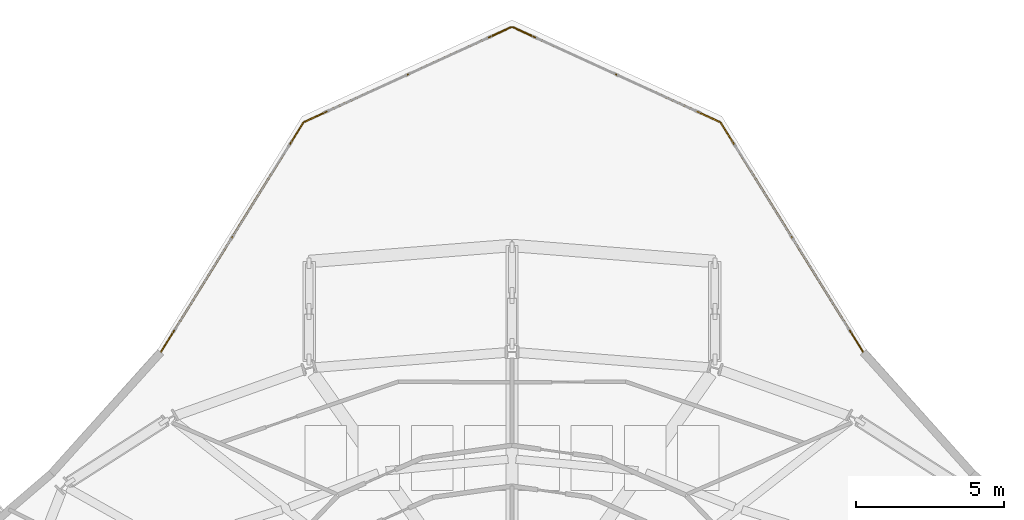
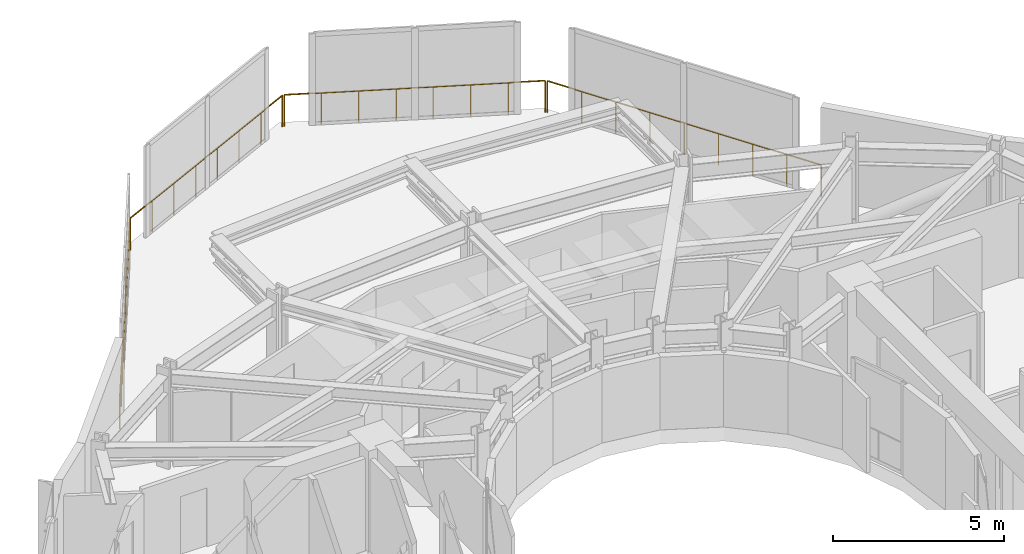
# One storey, part 25 of 25: 4 railings.
"""IFC4 building model written with IfcOpenShell, lengths in metres."""

from ifc_helpers import new_model, si_unit, direction, frame, origin, origin_2d, place, context, subcontext, project, spatial, circle, extrude, material, type_object, element, save


model = new_model("IFC4")

# Units and contexts
model_context = context("Model", 3, precision=1e-05, world=origin(), true_north=direction((0.0, 1.0)))
body_context = subcontext(model_context, "Body", "Model", "MODEL_VIEW")
ifc_project = project(units=[si_unit("LENGTHUNIT", "METRE"), si_unit("AREAUNIT", "SQUARE_METRE"), si_unit("VOLUMEUNIT", "CUBIC_METRE"), si_unit("PLANEANGLEUNIT", "RADIAN"), si_unit("MASSUNIT", "GRAM", prefix="KILO")], contexts=[model_context])

# Site, building, storey
site_placement = place(None, origin())
site = spatial("IfcSite", under=ifc_project, at=site_placement, CompositionType="ELEMENT")
building_placement = place(site_placement, origin())
building = spatial("IfcBuilding", under=site, at=building_placement, Name="Solvane Sanctuary Tower", CompositionType="ELEMENT")
storey_placement = place(building_placement, frame((0.0, 0.0, 238.800048828125)))
storey = spatial("IfcBuildingStorey", under=building, at=storey_placement, Name="L73", CompositionType="ELEMENT", Elevation=238.800048828125)

# Railings
ifc_material = material(Name="Architectural Stainless Steel 316", Category="steel")
railing_type = type_object("IfcRailingType", Name="Railing GR-BALC-1150", PredefinedType="BALUSTRADE", material=ifc_material)
railing_1_placement = place(storey_placement, frame((43.854248046875, 38.695556640625, 0.0)))
element("IfcRailing", 1, at=railing_1_placement, inside=storey, type_object=railing_type, Name="L73 Curtain-Wall Perimeter Sill Guard 04", PredefinedType="BALUSTRADE", context=body_context, shape_type="SweptSolid", body=[
    extrude(circle(Radius=0.02392578125, at=origin_2d()), frame((0.0, 0.0, 1.1259765625), z_axis=(-0.527392269957, 0.84962191214, 0.0), x_axis=(-0.84962191214, -0.527392269957, 0.0)), (0.0, 0.0, 1.0), 9.0927734375),
    extrude(circle(Radius=0.02099609375, at=origin_2d()), origin(), (0.0, 0.0, 1.0), 1.101806640625),
    extrude(circle(Radius=0.02099609375, at=origin_2d()), frame((-0.599365234375, 0.965576171875, 0.0)), (0.0, 0.0, 1.0), 1.101806640625),
    extrude(circle(Radius=0.02099609375, at=origin_2d()), frame((-1.19873046875, 1.931396484375, 0.0)), (0.0, 0.0, 1.0), 1.101806640625),
    extrude(circle(Radius=0.02099609375, at=origin_2d()), frame((-1.79833984375, 2.89697265625, 0.0)), (0.0, 0.0, 1.0), 1.101806640625),
    extrude(circle(Radius=0.02099609375, at=origin_2d()), frame((-2.397705078125, 3.86279296875, 0.0)), (0.0, 0.0, 1.0), 1.101806640625),
    extrude(circle(Radius=0.02099609375, at=origin_2d()), frame((-2.9970703125, 4.828369140625, 0.0)), (0.0, 0.0, 1.0), 1.101806640625),
    extrude(circle(Radius=0.02099609375, at=origin_2d()), frame((-3.5966796875, 5.7939453125, 0.0)), (0.0, 0.0, 1.0), 1.101806640625),
    extrude(circle(Radius=0.02099609375, at=origin_2d()), frame((-4.196044921875, 6.759765625, 0.0)), (0.0, 0.0, 1.0), 1.101806640625),
    extrude(circle(Radius=0.02099609375, at=origin_2d()), frame((-4.79541015625, 7.725341796875, 0.0)), (0.0, 0.0, 1.0), 1.101806640625),
])
railing_2_placement = place(storey_placement, frame((39.015625, 46.458984375, 0.0)))
element("IfcRailing", 2, at=railing_2_placement, inside=storey, type_object=railing_type, Name="L73 Curtain-Wall Perimeter Sill Guard 05", PredefinedType="BALUSTRADE", context=body_context, shape_type="SweptSolid", body=[
    extrude(circle(Radius=0.02392578125, at=origin_2d()), frame((0.0, 0.0, 1.1259765625), z_axis=(-0.90926124068, 0.416225895634, 0.0), x_axis=(-0.416225895634, -0.90926124068, 0.0)), (0.0, 0.0, 1.0), 7.685791015625),
    extrude(circle(Radius=0.02099609375, at=origin_2d()), origin(), (0.0, 0.0, 1.0), 1.101806640625),
    extrude(circle(Radius=0.02099609375, at=origin_2d()), frame((-0.998291015625, 0.45703125, 0.0)), (0.0, 0.0, 1.0), 1.101806640625),
    extrude(circle(Radius=0.02099609375, at=origin_2d()), frame((-1.99658203125, 0.9140625, 0.0)), (0.0, 0.0, 1.0), 1.101806640625),
    extrude(circle(Radius=0.02099609375, at=origin_2d()), frame((-2.994873046875, 1.37109375, 0.0)), (0.0, 0.0, 1.0), 1.101806640625),
    extrude(circle(Radius=0.02099609375, at=origin_2d()), frame((-3.993408203125, 1.827880859375, 0.0)), (0.0, 0.0, 1.0), 1.101806640625),
    extrude(circle(Radius=0.02099609375, at=origin_2d()), frame((-4.99169921875, 2.284912109375, 0.0)), (0.0, 0.0, 1.0), 1.101806640625),
    extrude(circle(Radius=0.02099609375, at=origin_2d()), frame((-5.989990234375, 2.741943359375, 0.0)), (0.0, 0.0, 1.0), 1.101806640625),
    extrude(circle(Radius=0.02099609375, at=origin_2d()), frame((-6.98828125, 3.198974609375, 0.0)), (0.0, 0.0, 1.0), 1.101806640625),
])
railing_3_placement = place(storey_placement, frame((31.97265625, 49.657958984375, 0.0)))
element("IfcRailing", 3, at=railing_3_placement, inside=storey, type_object=railing_type, Name="L73 Curtain-Wall Perimeter Sill Guard 06", PredefinedType="BALUSTRADE", context=body_context, shape_type="SweptSolid", body=[
    extrude(circle(Radius=0.02392578125, at=origin_2d()), frame((0.0, 0.0, 1.1259765625), z_axis=(-0.90926124068, -0.416225895634, 0.0), x_axis=(0.416225895634, -0.90926124068, 0.0)), (0.0, 0.0, 1.0), 7.685791015625),
    extrude(circle(Radius=0.02099609375, at=origin_2d()), origin(), (0.0, 0.0, 1.0), 1.101806640625),
    extrude(circle(Radius=0.02099609375, at=origin_2d()), frame((-0.998291015625, -0.45703125, 0.0)), (0.0, 0.0, 1.0), 1.101806640625),
    extrude(circle(Radius=0.02099609375, at=origin_2d()), frame((-1.99658203125, -0.9140625, 0.0)), (0.0, 0.0, 1.0), 1.101806640625),
    extrude(circle(Radius=0.02099609375, at=origin_2d()), frame((-2.994873046875, -1.37109375, 0.0)), (0.0, 0.0, 1.0), 1.101806640625),
    extrude(circle(Radius=0.02099609375, at=origin_2d()), frame((-3.993408203125, -1.827880859375, 0.0)), (0.0, 0.0, 1.0), 1.101806640625),
    extrude(circle(Radius=0.02099609375, at=origin_2d()), frame((-4.99169921875, -2.284912109375, 0.0)), (0.0, 0.0, 1.0), 1.101806640625),
    extrude(circle(Radius=0.02099609375, at=origin_2d()), frame((-5.989990234375, -2.741943359375, 0.0)), (0.0, 0.0, 1.0), 1.101806640625),
    extrude(circle(Radius=0.02099609375, at=origin_2d()), frame((-6.98828125, -3.198974609375, 0.0)), (0.0, 0.0, 1.0), 1.101806640625),
])
railing_4_placement = place(storey_placement, frame((24.941162109375, 46.4208984375, 0.0)))
element("IfcRailing", 4, at=railing_4_placement, inside=storey, type_object=railing_type, Name="L73 Curtain-Wall Perimeter Sill Guard 07", PredefinedType="BALUSTRADE", context=body_context, shape_type="SweptSolid", body=[
    extrude(circle(Radius=0.02392578125, at=origin_2d()), frame((0.0, 0.0, 1.1259765625), z_axis=(-0.527392269957, -0.84962191214, 0.0), x_axis=(0.84962191214, -0.527392269957, 0.0)), (0.0, 0.0, 1.0), 9.0927734375),
    extrude(circle(Radius=0.02099609375, at=origin_2d()), origin(), (0.0, 0.0, 1.0), 1.101806640625),
    extrude(circle(Radius=0.02099609375, at=origin_2d()), frame((-0.599365234375, -0.965576171875, 0.0)), (0.0, 0.0, 1.0), 1.101806640625),
    extrude(circle(Radius=0.02099609375, at=origin_2d()), frame((-1.19873046875, -1.931396484375, 0.0)), (0.0, 0.0, 1.0), 1.101806640625),
    extrude(circle(Radius=0.02099609375, at=origin_2d()), frame((-1.79833984375, -2.89697265625, 0.0)), (0.0, 0.0, 1.0), 1.101806640625),
    extrude(circle(Radius=0.02099609375, at=origin_2d()), frame((-2.397705078125, -3.86279296875, 0.0)), (0.0, 0.0, 1.0), 1.101806640625),
    extrude(circle(Radius=0.02099609375, at=origin_2d()), frame((-2.9970703125, -4.828369140625, 0.0)), (0.0, 0.0, 1.0), 1.101806640625),
    extrude(circle(Radius=0.02099609375, at=origin_2d()), frame((-3.5966796875, -5.7939453125, 0.0)), (0.0, 0.0, 1.0), 1.101806640625),
    extrude(circle(Radius=0.02099609375, at=origin_2d()), frame((-4.196044921875, -6.759765625, 0.0)), (0.0, 0.0, 1.0), 1.101806640625),
    extrude(circle(Radius=0.02099609375, at=origin_2d()), frame((-4.79541015625, -7.725341796875, 0.0)), (0.0, 0.0, 1.0), 1.101806640625),
])

save(model, "model.ifc")
